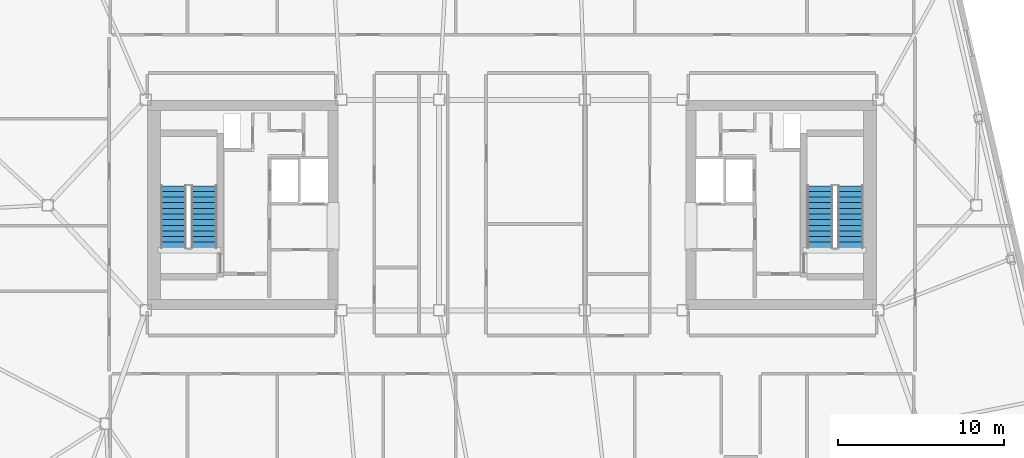
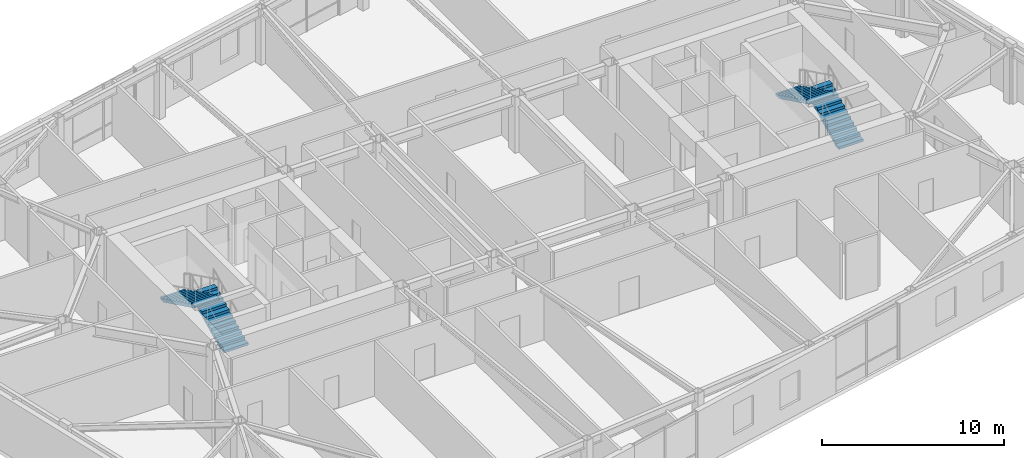
# One storey, part 20 of 23: 4 stair flights, 2 elements without a shape of their own.
"""IFC4 building model written with IfcOpenShell, lengths in metres."""

from ifc_helpers import new_model, si_unit, direction, frame, origin, place, context, subcontext, project, spatial, polyline, outline, extrude, material, type_object, element, aggregate, save


model = new_model("IFC4")

# Units and contexts
model_context = context("Model", 3, precision=1e-05, world=origin(), true_north=direction((0.0, 1.0)))
body_context = subcontext(model_context, "Body", "Model", "MODEL_VIEW")
ifc_project = project(units=[si_unit("LENGTHUNIT", "METRE"), si_unit("AREAUNIT", "SQUARE_METRE"), si_unit("VOLUMEUNIT", "CUBIC_METRE"), si_unit("PLANEANGLEUNIT", "RADIAN"), si_unit("MASSUNIT", "GRAM", prefix="KILO")], contexts=[model_context])

# Site, building, storey
site_placement = place(None, origin())
site = spatial("IfcSite", under=ifc_project, at=site_placement, CompositionType="ELEMENT")
building_placement = place(site_placement, origin())
building = spatial("IfcBuilding", under=site, at=building_placement, Name="Tavrogorsk Clinical Tower", CompositionType="ELEMENT")
storey_placement = place(building_placement, frame((0.0, 0.0, 293.0)))
storey = spatial("IfcBuildingStorey", under=building, at=storey_placement, Name="L68", CompositionType="ELEMENT", Elevation=293.0)

# Stair, stair flights
ifc_material_1 = material(Name="Concrete B60", Category="concrete")
stair_type = type_object("IfcStairType", Name="CoreStairAssembly", PredefinedType="HALF_TURN_STAIR", material=ifc_material_1)
stair_1_placement = place(storey_placement, origin())
stair_1 = element("IfcStair", 1, at=stair_1_placement, inside=storey, type_object=stair_type, Name="L68 ST-W", PredefinedType="HALF_TURN_STAIR")
ifc_material_2 = material(Name="Concrete B60", Category="concrete")
stair_flight_type = type_object("IfcStairFlightType", Name="CoreStairFlight", PredefinedType="STRAIGHT", material=ifc_material_2)
stair_flight_1_placement = place(storey_placement, frame((-18.574951171875, -2.574951171875, 0.0), z_axis=(0.0, 0.0, 1.0), x_axis=(0.0, 1.0, 0.0)))
stair_flight_1 = element("IfcStairFlight", 2, at=stair_flight_1_placement, type_object=stair_flight_type, Name="ST-W flight 1", NumberOfRisers=12, NumberOfTreads=11, PredefinedType="STRAIGHT", RiserHeight=0.166666667, TreadLength=0.34, context=body_context, shape_type="SweptSolid", body=[
    extrude(outline(polyline([(0.0, 0.0), (0.0, 0.166748046875), (0.340087890625, 0.166748046875), (0.340087890625, 0.333251953125), (0.679931640625, 0.333251953125), (0.679931640625, 0.5), (1.02001953125, 0.5), (1.02001953125, 0.666748046875), (1.360107421875, 0.666748046875), (1.360107421875, 0.833251953125), (1.699951171875, 0.833251953125), (1.699951171875, 1.0), (2.0400390625, 1.0), (2.0400390625, 1.166748046875), (2.3798828125, 1.166748046875), (2.3798828125, 1.333251953125), (2.719970703125, 1.333251953125), (2.719970703125, 1.5), (3.06005859375, 1.5), (3.06005859375, 1.666748046875), (3.39990234375, 1.666748046875), (3.39990234375, 1.833251953125), (3.739990234375, 1.833251953125), (3.739990234375, 2.0), (3.739990234375, 1.66650390625), (0.340576171875, 0.0), (0.0, 0.0)])), frame((0.0, 0.77490234375, 0.0), z_axis=(0.0, -1.0, 0.0), x_axis=(1.0, 0.0, 0.0)), (0.0, 0.0, 1.0), 1.550048828125),
])
stair_flight_2_placement = place(storey_placement, frame((-20.425048828125, 1.1650390625, 2.0), z_axis=(0.0, 0.0, 1.0), x_axis=(0.0, -1.0, 0.0)))
stair_flight_2 = element("IfcStairFlight", 3, at=stair_flight_2_placement, type_object=stair_flight_type, Name="ST-W flight 2", NumberOfRisers=12, NumberOfTreads=11, PredefinedType="STRAIGHT", RiserHeight=0.166666667, TreadLength=0.34, context=body_context, shape_type="SweptSolid", body=[
    extrude(outline(polyline([(0.0, 0.0), (0.0, 0.166748046875), (0.340087890625, 0.166748046875), (0.340087890625, 0.333251953125), (0.679931640625, 0.333251953125), (0.679931640625, 0.5), (1.02001953125, 0.5), (1.02001953125, 0.666748046875), (1.360107421875, 0.666748046875), (1.360107421875, 0.833251953125), (1.699951171875, 0.833251953125), (1.699951171875, 1.0), (2.0400390625, 1.0), (2.0400390625, 1.166748046875), (2.3798828125, 1.166748046875), (2.3798828125, 1.333251953125), (2.719970703125, 1.333251953125), (2.719970703125, 1.5), (3.06005859375, 1.5), (3.06005859375, 1.666748046875), (3.39990234375, 1.666748046875), (3.39990234375, 1.833251953125), (3.739990234375, 1.833251953125), (3.739990234375, 2.0), (3.739990234375, 1.66650390625), (0.340576171875, 0.0), (0.0, 0.0)])), frame((0.0, 0.77490234375, 0.0), z_axis=(0.0, -1.0, 0.0), x_axis=(1.0, 0.0, 0.0)), (0.0, 0.0, 1.0), 1.550048828125),
])
aggregate(stair_1, [stair_flight_1, stair_flight_2])

stair_2_placement = place(storey_placement, origin())
stair_2 = element("IfcStair", 4, at=stair_2_placement, inside=storey, type_object=stair_type, Name="L68 ST-E", PredefinedType="HALF_TURN_STAIR")
stair_flight_3_placement = place(storey_placement, frame((20.425048828125, -2.574951171875, 0.0), z_axis=(0.0, 0.0, 1.0), x_axis=(0.0, 1.0, 0.0)))
stair_flight_3 = element("IfcStairFlight", 5, at=stair_flight_3_placement, type_object=stair_flight_type, Name="ST-E flight 1", NumberOfRisers=12, NumberOfTreads=11, PredefinedType="STRAIGHT", RiserHeight=0.166666667, TreadLength=0.34, context=body_context, shape_type="SweptSolid", body=[
    extrude(outline(polyline([(0.0, 0.0), (0.0, 0.166748046875), (0.340087890625, 0.166748046875), (0.340087890625, 0.333251953125), (0.679931640625, 0.333251953125), (0.679931640625, 0.5), (1.02001953125, 0.5), (1.02001953125, 0.666748046875), (1.360107421875, 0.666748046875), (1.360107421875, 0.833251953125), (1.699951171875, 0.833251953125), (1.699951171875, 1.0), (2.0400390625, 1.0), (2.0400390625, 1.166748046875), (2.3798828125, 1.166748046875), (2.3798828125, 1.333251953125), (2.719970703125, 1.333251953125), (2.719970703125, 1.5), (3.06005859375, 1.5), (3.06005859375, 1.666748046875), (3.39990234375, 1.666748046875), (3.39990234375, 1.833251953125), (3.739990234375, 1.833251953125), (3.739990234375, 2.0), (3.739990234375, 1.66650390625), (0.340576171875, 0.0), (0.0, 0.0)])), frame((0.0, 0.77490234375, 0.0), z_axis=(0.0, -1.0, 0.0), x_axis=(1.0, 0.0, 0.0)), (0.0, 0.0, 1.0), 1.550048828125),
])
stair_flight_4_placement = place(storey_placement, frame((18.574951171875, 1.1650390625, 2.0), z_axis=(0.0, 0.0, 1.0), x_axis=(0.0, -1.0, 0.0)))
stair_flight_4 = element("IfcStairFlight", 6, at=stair_flight_4_placement, type_object=stair_flight_type, Name="ST-E flight 2", NumberOfRisers=12, NumberOfTreads=11, PredefinedType="STRAIGHT", RiserHeight=0.166666667, TreadLength=0.34, context=body_context, shape_type="SweptSolid", body=[
    extrude(outline(polyline([(0.0, 0.0), (0.0, 0.166748046875), (0.340087890625, 0.166748046875), (0.340087890625, 0.333251953125), (0.679931640625, 0.333251953125), (0.679931640625, 0.5), (1.02001953125, 0.5), (1.02001953125, 0.666748046875), (1.360107421875, 0.666748046875), (1.360107421875, 0.833251953125), (1.699951171875, 0.833251953125), (1.699951171875, 1.0), (2.0400390625, 1.0), (2.0400390625, 1.166748046875), (2.3798828125, 1.166748046875), (2.3798828125, 1.333251953125), (2.719970703125, 1.333251953125), (2.719970703125, 1.5), (3.06005859375, 1.5), (3.06005859375, 1.666748046875), (3.39990234375, 1.666748046875), (3.39990234375, 1.833251953125), (3.739990234375, 1.833251953125), (3.739990234375, 2.0), (3.739990234375, 1.66650390625), (0.340576171875, 0.0), (0.0, 0.0)])), frame((0.0, 0.77490234375, 0.0), z_axis=(0.0, -1.0, 0.0), x_axis=(1.0, 0.0, 0.0)), (0.0, 0.0, 1.0), 1.550048828125),
])
aggregate(stair_2, [stair_flight_3, stair_flight_4])

save(model, "model.ifc")
